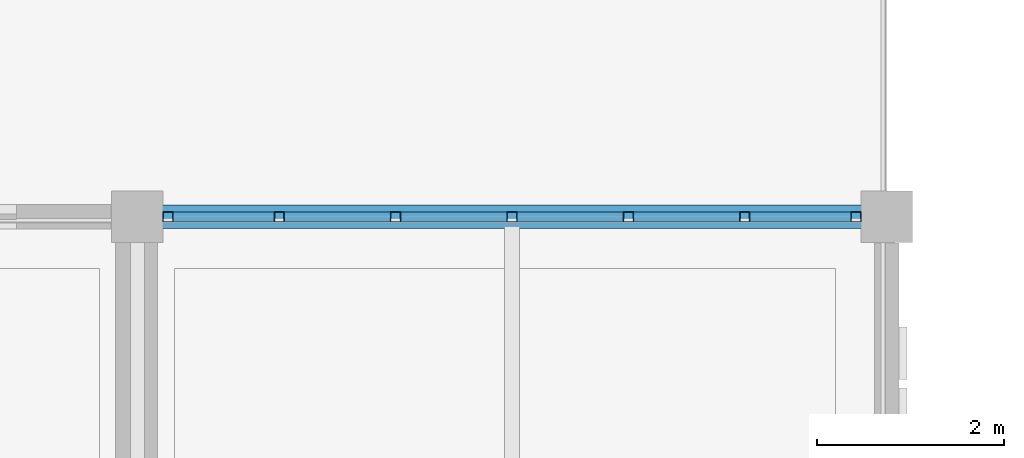
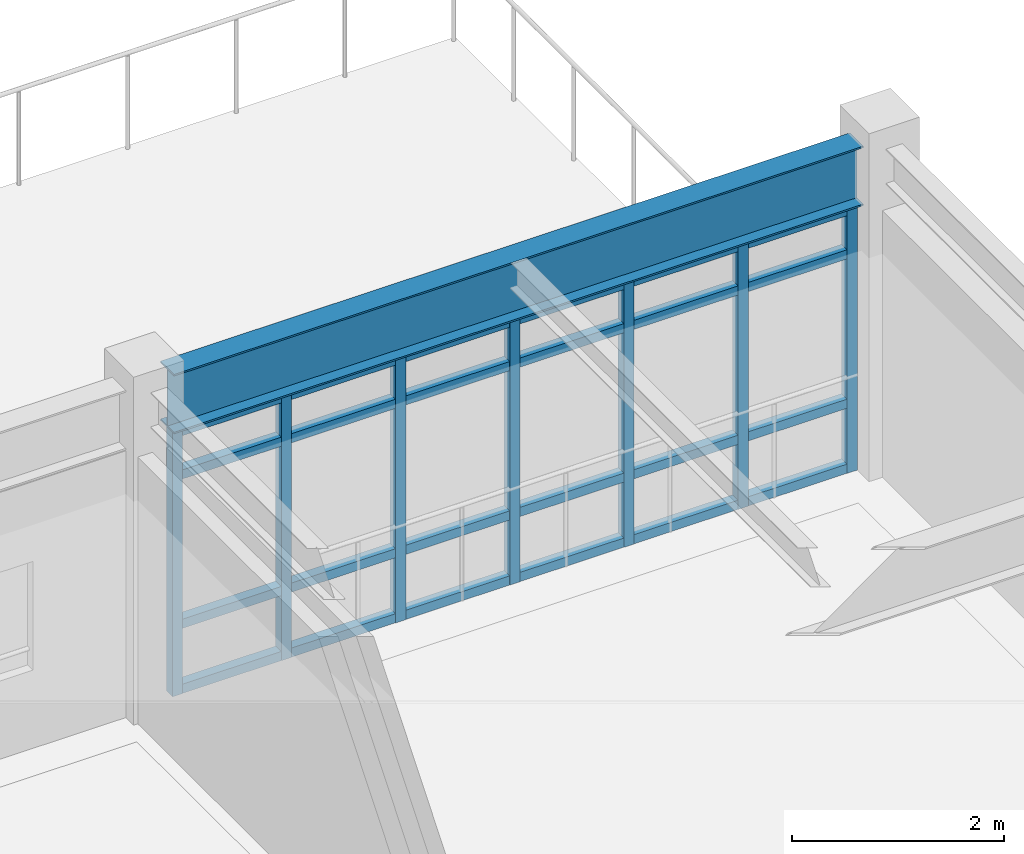
# One storey, part 8 of 31: 31 members, 1 beam, 1 element without a shape of its own.
"""IFC4 building model written with IfcOpenShell, lengths in metres."""

from ifc_helpers import new_model, si_unit, direction, frame, origin, origin_2d, place, context, subcontext, project, spatial, hollow_rectangle, i_section, extrude, material, material_profile, profile_set, type_object, element, aggregate, save


model = new_model("IFC4")

# Units and contexts
model_context = context("Model", 3, precision=1e-05, world=origin(), true_north=direction((0.0, 1.0)))
body_context = subcontext(model_context, "Body", "Model", "MODEL_VIEW")
ifc_project = project(units=[si_unit("LENGTHUNIT", "METRE"), si_unit("AREAUNIT", "SQUARE_METRE"), si_unit("VOLUMEUNIT", "CUBIC_METRE"), si_unit("PLANEANGLEUNIT", "RADIAN"), si_unit("MASSUNIT", "GRAM", prefix="KILO")], contexts=[model_context])

# Site, building, storey
site_placement = place(None, origin())
site = spatial("IfcSite", under=ifc_project, at=site_placement, CompositionType="ELEMENT")
building_placement = place(site_placement, origin())
building = spatial("IfcBuilding", under=site, at=building_placement, Name="Celadon Cloister-Ring School", CompositionType="ELEMENT")
storey_placement = place(building_placement, frame((0.0, 0.0, 16.5)))
storey = spatial("IfcBuildingStorey", under=building, at=storey_placement, Name="L04", CompositionType="ELEMENT", Elevation=16.5)

# Curtain wall, members
ifc_material_1 = material(Name="Aluminium EN AW-6063 T6", Category="aluminium")
curtain_wall_type = type_object("IfcCurtainWallType", Name="CW-16", PredefinedType="USERDEFINED", material=ifc_material_1)
curtain_wall_placement = place(storey_placement, origin())
curtain_wall = element("IfcCurtainWall", 1, at=curtain_wall_placement, inside=storey, type_object=curtain_wall_type, Name="Curtain Wall 0207", ObjectType="CURTAIN WALL", PredefinedType="USERDEFINED")
ifc_material_2 = material(Name="Aluminium EN AW-6063 T6", Category="aluminium")
ifc_material_profile_1 = material_profile(ifc_material_2, hollow_rectangle(XDim=0.110107421875, YDim=0.110107421875, WallThickness=0.0048828125, at=origin_2d()), Name="RHS110X110X5")
ifc_profile_set_1 = profile_set([ifc_material_profile_1], Name="Aluminium EN AW-6063 T6")
member_type_1 = type_object("IfcMemberType", Name="CM-01", PredefinedType="MULLION", material=ifc_profile_set_1)
member_1_placement = place(storey_placement, frame((24.330078125, 68.0, 0.0), z_axis=(0.0, 0.0, 1.0), x_axis=(0.0, 1.0, 0.0)))
member_1 = element("IfcMember", 2, at=member_1_placement, type_object=member_type_1, Name="CW-16 mullion 1", PredefinedType="MULLION", context=body_context, shape_type="SweptSolid", body=[
    extrude(hollow_rectangle(XDim=0.110107421875, YDim=0.110107421875, WallThickness=0.0048828125, at=origin_2d()), origin(), (0.0, 0.0, 1.0), 3.068115234375),
])
member_2_placement = place(storey_placement, frame((25.5166015625, 68.0, 0.0), z_axis=(0.0, 0.0, 1.0), x_axis=(0.0, 1.0, 0.0)))
member_2 = element("IfcMember", 3, at=member_2_placement, type_object=member_type_1, Name="CW-16 mullion 2", PredefinedType="MULLION", context=body_context, shape_type="SweptSolid", body=[
    extrude(hollow_rectangle(XDim=0.110107421875, YDim=0.110107421875, WallThickness=0.0048828125, at=origin_2d()), origin(), (0.0, 0.0, 1.0), 3.068115234375),
])
member_3_placement = place(storey_placement, frame((26.75830078125, 68.0, 0.0), z_axis=(0.0, 0.0, 1.0), x_axis=(0.0, 1.0, 0.0)))
member_3 = element("IfcMember", 4, at=member_3_placement, type_object=member_type_1, Name="CW-16 mullion 3", PredefinedType="MULLION", context=body_context, shape_type="SweptSolid", body=[
    extrude(hollow_rectangle(XDim=0.110107421875, YDim=0.110107421875, WallThickness=0.0048828125, at=origin_2d()), origin(), (0.0, 0.0, 1.0), 3.068115234375),
])
member_4_placement = place(storey_placement, frame((28.0, 68.0, 0.0), z_axis=(0.0, 0.0, 1.0), x_axis=(0.0, 1.0, 0.0)))
member_4 = element("IfcMember", 5, at=member_4_placement, type_object=member_type_1, Name="CW-16 mullion 4", PredefinedType="MULLION", context=body_context, shape_type="SweptSolid", body=[
    extrude(hollow_rectangle(XDim=0.110107421875, YDim=0.110107421875, WallThickness=0.0048828125, at=origin_2d()), origin(), (0.0, 0.0, 1.0), 3.068115234375),
])
member_5_placement = place(storey_placement, frame((29.24169921875, 68.0, 0.0), z_axis=(0.0, 0.0, 1.0), x_axis=(0.0, 1.0, 0.0)))
member_5 = element("IfcMember", 6, at=member_5_placement, type_object=member_type_1, Name="CW-16 mullion 5", PredefinedType="MULLION", context=body_context, shape_type="SweptSolid", body=[
    extrude(hollow_rectangle(XDim=0.110107421875, YDim=0.110107421875, WallThickness=0.0048828125, at=origin_2d()), origin(), (0.0, 0.0, 1.0), 3.068115234375),
])
member_6_placement = place(storey_placement, frame((30.4833984375, 68.0, 0.0), z_axis=(0.0, 0.0, 1.0), x_axis=(0.0, 1.0, 0.0)))
member_6 = element("IfcMember", 7, at=member_6_placement, type_object=member_type_1, Name="CW-16 mullion 6", PredefinedType="MULLION", context=body_context, shape_type="SweptSolid", body=[
    extrude(hollow_rectangle(XDim=0.110107421875, YDim=0.110107421875, WallThickness=0.0048828125, at=origin_2d()), origin(), (0.0, 0.0, 1.0), 3.068115234375),
])
member_7_placement = place(storey_placement, frame((31.669921875, 68.0, 0.0), z_axis=(0.0, 0.0, 1.0), x_axis=(0.0, 1.0, 0.0)))
member_7 = element("IfcMember", 8, at=member_7_placement, type_object=member_type_1, Name="CW-16 mullion 7", PredefinedType="MULLION", context=body_context, shape_type="SweptSolid", body=[
    extrude(hollow_rectangle(XDim=0.110107421875, YDim=0.110107421875, WallThickness=0.0048828125, at=origin_2d()), origin(), (0.0, 0.0, 1.0), 3.068115234375),
])
ifc_material_3 = material(Name="Aluminium EN AW-6063 T6", Category="aluminium")
ifc_material_profile_2 = material_profile(ifc_material_3, hollow_rectangle(XDim=0.10498046875, YDim=0.10498046875, WallThickness=0.0048828125, at=origin_2d()), Name="RHS105X105X5")
ifc_profile_set_2 = profile_set([ifc_material_profile_2], Name="Aluminium EN AW-6063 T6")
member_type_2 = type_object("IfcMemberType", Name="CTM-01", PredefinedType="USERDEFINED", material=ifc_profile_set_2)
member_8_placement = place(storey_placement, frame((24.385009765625, 68.0, 0.052490234375), z_axis=(1.0, 0.0, 0.0), x_axis=(0.0, 1.0, 0.0)))
member_8 = element("IfcMember", 9, at=member_8_placement, type_object=member_type_2, Name="CW-16 transom 1.1", ObjectType="TRANSOM", PredefinedType="USERDEFINED", context=body_context, shape_type="SweptSolid", body=[
    extrude(hollow_rectangle(XDim=0.10498046875, YDim=0.10498046875, WallThickness=0.0048828125, at=origin_2d()), origin(), (0.0, 0.0, 1.0), 1.07666015625),
])
member_9_placement = place(storey_placement, frame((24.385009765625, 68.0, 0.800048828125), z_axis=(1.0, 0.0, 0.0), x_axis=(0.0, 1.0, 0.0)))
member_9 = element("IfcMember", 10, at=member_9_placement, type_object=member_type_2, Name="CW-16 transom 1.2", ObjectType="TRANSOM", PredefinedType="USERDEFINED", context=body_context, shape_type="SweptSolid", body=[
    extrude(hollow_rectangle(XDim=0.10498046875, YDim=0.10498046875, WallThickness=0.0048828125, at=origin_2d()), origin(), (0.0, 0.0, 1.0), 1.07666015625),
])
member_10_placement = place(storey_placement, frame((24.385009765625, 68.0, 2.51806640625), z_axis=(1.0, 0.0, 0.0), x_axis=(0.0, 1.0, 0.0)))
member_10 = element("IfcMember", 11, at=member_10_placement, type_object=member_type_2, Name="CW-16 transom 1.3", ObjectType="TRANSOM", PredefinedType="USERDEFINED", context=body_context, shape_type="SweptSolid", body=[
    extrude(hollow_rectangle(XDim=0.10498046875, YDim=0.10498046875, WallThickness=0.0048828125, at=origin_2d()), origin(), (0.0, 0.0, 1.0), 1.07666015625),
])
member_11_placement = place(storey_placement, frame((24.385009765625, 68.0, 3.015380859375), z_axis=(1.0, 0.0, 0.0), x_axis=(0.0, 1.0, 0.0)))
member_11 = element("IfcMember", 12, at=member_11_placement, type_object=member_type_2, Name="CW-16 transom 1.4", ObjectType="TRANSOM", PredefinedType="USERDEFINED", context=body_context, shape_type="SweptSolid", body=[
    extrude(hollow_rectangle(XDim=0.10498046875, YDim=0.10498046875, WallThickness=0.0048828125, at=origin_2d()), origin(), (0.0, 0.0, 1.0), 1.07666015625),
])
member_12_placement = place(storey_placement, frame((25.57177734375, 68.0, 0.052490234375), z_axis=(1.0, 0.0, 0.0), x_axis=(0.0, 1.0, 0.0)))
member_12 = element("IfcMember", 13, at=member_12_placement, type_object=member_type_2, Name="CW-16 transom 2.1", ObjectType="TRANSOM", PredefinedType="USERDEFINED", context=body_context, shape_type="SweptSolid", body=[
    extrude(hollow_rectangle(XDim=0.10498046875, YDim=0.10498046875, WallThickness=0.0048828125, at=origin_2d()), origin(), (0.0, 0.0, 1.0), 1.131591796875),
])
member_13_placement = place(storey_placement, frame((25.57177734375, 68.0, 0.800048828125), z_axis=(1.0, 0.0, 0.0), x_axis=(0.0, 1.0, 0.0)))
member_13 = element("IfcMember", 14, at=member_13_placement, type_object=member_type_2, Name="CW-16 transom 2.2", ObjectType="TRANSOM", PredefinedType="USERDEFINED", context=body_context, shape_type="SweptSolid", body=[
    extrude(hollow_rectangle(XDim=0.10498046875, YDim=0.10498046875, WallThickness=0.0048828125, at=origin_2d()), origin(), (0.0, 0.0, 1.0), 1.131591796875),
])
member_14_placement = place(storey_placement, frame((25.57177734375, 68.0, 2.51806640625), z_axis=(1.0, 0.0, 0.0), x_axis=(0.0, 1.0, 0.0)))
member_14 = element("IfcMember", 15, at=member_14_placement, type_object=member_type_2, Name="CW-16 transom 2.3", ObjectType="TRANSOM", PredefinedType="USERDEFINED", context=body_context, shape_type="SweptSolid", body=[
    extrude(hollow_rectangle(XDim=0.10498046875, YDim=0.10498046875, WallThickness=0.0048828125, at=origin_2d()), origin(), (0.0, 0.0, 1.0), 1.131591796875),
])
member_15_placement = place(storey_placement, frame((25.57177734375, 68.0, 3.015380859375), z_axis=(1.0, 0.0, 0.0), x_axis=(0.0, 1.0, 0.0)))
member_15 = element("IfcMember", 16, at=member_15_placement, type_object=member_type_2, Name="CW-16 transom 2.4", ObjectType="TRANSOM", PredefinedType="USERDEFINED", context=body_context, shape_type="SweptSolid", body=[
    extrude(hollow_rectangle(XDim=0.10498046875, YDim=0.10498046875, WallThickness=0.0048828125, at=origin_2d()), origin(), (0.0, 0.0, 1.0), 1.131591796875),
])
member_16_placement = place(storey_placement, frame((26.813232421875, 68.0, 0.052490234375), z_axis=(1.0, 0.0, 0.0), x_axis=(0.0, 1.0, 0.0)))
member_16 = element("IfcMember", 17, at=member_16_placement, type_object=member_type_2, Name="CW-16 transom 3.1", ObjectType="TRANSOM", PredefinedType="USERDEFINED", context=body_context, shape_type="SweptSolid", body=[
    extrude(hollow_rectangle(XDim=0.10498046875, YDim=0.10498046875, WallThickness=0.0048828125, at=origin_2d()), origin(), (0.0, 0.0, 1.0), 1.1318359375),
])
member_17_placement = place(storey_placement, frame((26.813232421875, 68.0, 0.800048828125), z_axis=(1.0, 0.0, 0.0), x_axis=(0.0, 1.0, 0.0)))
member_17 = element("IfcMember", 18, at=member_17_placement, type_object=member_type_2, Name="CW-16 transom 3.2", ObjectType="TRANSOM", PredefinedType="USERDEFINED", context=body_context, shape_type="SweptSolid", body=[
    extrude(hollow_rectangle(XDim=0.10498046875, YDim=0.10498046875, WallThickness=0.0048828125, at=origin_2d()), origin(), (0.0, 0.0, 1.0), 1.1318359375),
])
member_18_placement = place(storey_placement, frame((26.813232421875, 68.0, 2.51806640625), z_axis=(1.0, 0.0, 0.0), x_axis=(0.0, 1.0, 0.0)))
member_18 = element("IfcMember", 19, at=member_18_placement, type_object=member_type_2, Name="CW-16 transom 3.3", ObjectType="TRANSOM", PredefinedType="USERDEFINED", context=body_context, shape_type="SweptSolid", body=[
    extrude(hollow_rectangle(XDim=0.10498046875, YDim=0.10498046875, WallThickness=0.0048828125, at=origin_2d()), origin(), (0.0, 0.0, 1.0), 1.1318359375),
])
member_19_placement = place(storey_placement, frame((26.813232421875, 68.0, 3.015380859375), z_axis=(1.0, 0.0, 0.0), x_axis=(0.0, 1.0, 0.0)))
member_19 = element("IfcMember", 20, at=member_19_placement, type_object=member_type_2, Name="CW-16 transom 3.4", ObjectType="TRANSOM", PredefinedType="USERDEFINED", context=body_context, shape_type="SweptSolid", body=[
    extrude(hollow_rectangle(XDim=0.10498046875, YDim=0.10498046875, WallThickness=0.0048828125, at=origin_2d()), origin(), (0.0, 0.0, 1.0), 1.1318359375),
])
member_20_placement = place(storey_placement, frame((28.054931640625, 68.0, 0.052490234375), z_axis=(1.0, 0.0, 0.0), x_axis=(0.0, 1.0, 0.0)))
member_20 = element("IfcMember", 21, at=member_20_placement, type_object=member_type_2, Name="CW-16 transom 4.1", ObjectType="TRANSOM", PredefinedType="USERDEFINED", context=body_context, shape_type="SweptSolid", body=[
    extrude(hollow_rectangle(XDim=0.10498046875, YDim=0.10498046875, WallThickness=0.0048828125, at=origin_2d()), origin(), (0.0, 0.0, 1.0), 1.1318359375),
])
member_21_placement = place(storey_placement, frame((28.054931640625, 68.0, 0.800048828125), z_axis=(1.0, 0.0, 0.0), x_axis=(0.0, 1.0, 0.0)))
member_21 = element("IfcMember", 22, at=member_21_placement, type_object=member_type_2, Name="CW-16 transom 4.2", ObjectType="TRANSOM", PredefinedType="USERDEFINED", context=body_context, shape_type="SweptSolid", body=[
    extrude(hollow_rectangle(XDim=0.10498046875, YDim=0.10498046875, WallThickness=0.0048828125, at=origin_2d()), origin(), (0.0, 0.0, 1.0), 1.1318359375),
])
member_22_placement = place(storey_placement, frame((28.054931640625, 68.0, 2.51806640625), z_axis=(1.0, 0.0, 0.0), x_axis=(0.0, 1.0, 0.0)))
member_22 = element("IfcMember", 23, at=member_22_placement, type_object=member_type_2, Name="CW-16 transom 4.3", ObjectType="TRANSOM", PredefinedType="USERDEFINED", context=body_context, shape_type="SweptSolid", body=[
    extrude(hollow_rectangle(XDim=0.10498046875, YDim=0.10498046875, WallThickness=0.0048828125, at=origin_2d()), origin(), (0.0, 0.0, 1.0), 1.1318359375),
])
member_23_placement = place(storey_placement, frame((28.054931640625, 68.0, 3.015380859375), z_axis=(1.0, 0.0, 0.0), x_axis=(0.0, 1.0, 0.0)))
member_23 = element("IfcMember", 24, at=member_23_placement, type_object=member_type_2, Name="CW-16 transom 4.4", ObjectType="TRANSOM", PredefinedType="USERDEFINED", context=body_context, shape_type="SweptSolid", body=[
    extrude(hollow_rectangle(XDim=0.10498046875, YDim=0.10498046875, WallThickness=0.0048828125, at=origin_2d()), origin(), (0.0, 0.0, 1.0), 1.1318359375),
])
member_24_placement = place(storey_placement, frame((29.296630859375, 68.0, 0.052490234375), z_axis=(1.0, 0.0, 0.0), x_axis=(0.0, 1.0, 0.0)))
member_24 = element("IfcMember", 25, at=member_24_placement, type_object=member_type_2, Name="CW-16 transom 5.1", ObjectType="TRANSOM", PredefinedType="USERDEFINED", context=body_context, shape_type="SweptSolid", body=[
    extrude(hollow_rectangle(XDim=0.10498046875, YDim=0.10498046875, WallThickness=0.0048828125, at=origin_2d()), origin(), (0.0, 0.0, 1.0), 1.131591796875),
])
member_25_placement = place(storey_placement, frame((29.296630859375, 68.0, 0.800048828125), z_axis=(1.0, 0.0, 0.0), x_axis=(0.0, 1.0, 0.0)))
member_25 = element("IfcMember", 26, at=member_25_placement, type_object=member_type_2, Name="CW-16 transom 5.2", ObjectType="TRANSOM", PredefinedType="USERDEFINED", context=body_context, shape_type="SweptSolid", body=[
    extrude(hollow_rectangle(XDim=0.10498046875, YDim=0.10498046875, WallThickness=0.0048828125, at=origin_2d()), origin(), (0.0, 0.0, 1.0), 1.131591796875),
])
member_26_placement = place(storey_placement, frame((29.296630859375, 68.0, 2.51806640625), z_axis=(1.0, 0.0, 0.0), x_axis=(0.0, 1.0, 0.0)))
member_26 = element("IfcMember", 27, at=member_26_placement, type_object=member_type_2, Name="CW-16 transom 5.3", ObjectType="TRANSOM", PredefinedType="USERDEFINED", context=body_context, shape_type="SweptSolid", body=[
    extrude(hollow_rectangle(XDim=0.10498046875, YDim=0.10498046875, WallThickness=0.0048828125, at=origin_2d()), origin(), (0.0, 0.0, 1.0), 1.131591796875),
])
member_27_placement = place(storey_placement, frame((29.296630859375, 68.0, 3.015380859375), z_axis=(1.0, 0.0, 0.0), x_axis=(0.0, 1.0, 0.0)))
member_27 = element("IfcMember", 28, at=member_27_placement, type_object=member_type_2, Name="CW-16 transom 5.4", ObjectType="TRANSOM", PredefinedType="USERDEFINED", context=body_context, shape_type="SweptSolid", body=[
    extrude(hollow_rectangle(XDim=0.10498046875, YDim=0.10498046875, WallThickness=0.0048828125, at=origin_2d()), origin(), (0.0, 0.0, 1.0), 1.131591796875),
])
member_28_placement = place(storey_placement, frame((30.538330078125, 68.0, 0.052490234375), z_axis=(1.0, 0.0, 0.0), x_axis=(0.0, 1.0, 0.0)))
member_28 = element("IfcMember", 29, at=member_28_placement, type_object=member_type_2, Name="CW-16 transom 6.1", ObjectType="TRANSOM", PredefinedType="USERDEFINED", context=body_context, shape_type="SweptSolid", body=[
    extrude(hollow_rectangle(XDim=0.10498046875, YDim=0.10498046875, WallThickness=0.0048828125, at=origin_2d()), origin(), (0.0, 0.0, 1.0), 1.07666015625),
])
member_29_placement = place(storey_placement, frame((30.538330078125, 68.0, 0.800048828125), z_axis=(1.0, 0.0, 0.0), x_axis=(0.0, 1.0, 0.0)))
member_29 = element("IfcMember", 30, at=member_29_placement, type_object=member_type_2, Name="CW-16 transom 6.2", ObjectType="TRANSOM", PredefinedType="USERDEFINED", context=body_context, shape_type="SweptSolid", body=[
    extrude(hollow_rectangle(XDim=0.10498046875, YDim=0.10498046875, WallThickness=0.0048828125, at=origin_2d()), origin(), (0.0, 0.0, 1.0), 1.07666015625),
])
member_30_placement = place(storey_placement, frame((30.538330078125, 68.0, 2.51806640625), z_axis=(1.0, 0.0, 0.0), x_axis=(0.0, 1.0, 0.0)))
member_30 = element("IfcMember", 31, at=member_30_placement, type_object=member_type_2, Name="CW-16 transom 6.3", ObjectType="TRANSOM", PredefinedType="USERDEFINED", context=body_context, shape_type="SweptSolid", body=[
    extrude(hollow_rectangle(XDim=0.10498046875, YDim=0.10498046875, WallThickness=0.0048828125, at=origin_2d()), origin(), (0.0, 0.0, 1.0), 1.07666015625),
])
member_31_placement = place(storey_placement, frame((30.538330078125, 68.0, 3.015380859375), z_axis=(1.0, 0.0, 0.0), x_axis=(0.0, 1.0, 0.0)))
member_31 = element("IfcMember", 32, at=member_31_placement, type_object=member_type_2, Name="CW-16 transom 6.4", ObjectType="TRANSOM", PredefinedType="USERDEFINED", context=body_context, shape_type="SweptSolid", body=[
    extrude(hollow_rectangle(XDim=0.10498046875, YDim=0.10498046875, WallThickness=0.0048828125, at=origin_2d()), origin(), (0.0, 0.0, 1.0), 1.07666015625),
])
aggregate(curtain_wall, [member_1, member_2, member_3, member_4, member_5, member_6, member_7, member_8, member_9, member_10, member_11, member_12, member_13, member_14, member_15, member_16, member_17, member_18, member_19, member_20, member_21, member_22, member_23, member_24, member_25, member_26, member_27, member_28, member_29, member_30, member_31])

# Beam
ifc_material_4 = material(Name="Structural steel S355JR", Category="steel")
ifc_material_profile_3 = material_profile(ifc_material_4, i_section(OverallWidth=0.25390625, OverallDepth=0.68408203125, WebThickness=0.012451171875, FlangeThickness=0.018798828125, at=origin_2d()), Name="W690X140")
ifc_profile_set_3 = profile_set([ifc_material_profile_3], Name="Structural steel S355JR")
beam_type = type_object("IfcBeamType", Name="GT-04", PredefinedType="USERDEFINED", material=ifc_profile_set_3)
beam_placement = place(storey_placement, frame((24.25, 68.0, 3.41796875), z_axis=(1.0, 0.0, 0.0), x_axis=(0.0, 1.0, 0.0)))
element("IfcBeam", 33, at=beam_placement, inside=storey, type_object=beam_type, Name="Beam 1660", ObjectType="GIRDER", PredefinedType="USERDEFINED", context=body_context, shape_type="SweptSolid", body=[
    extrude(i_section(OverallWidth=0.25390625, OverallDepth=0.68408203125, WebThickness=0.012451171875, FlangeThickness=0.018798828125, at=origin_2d()), origin(), (0.0, 0.0, 1.0), 7.5),
])

save(model, "model.ifc")
